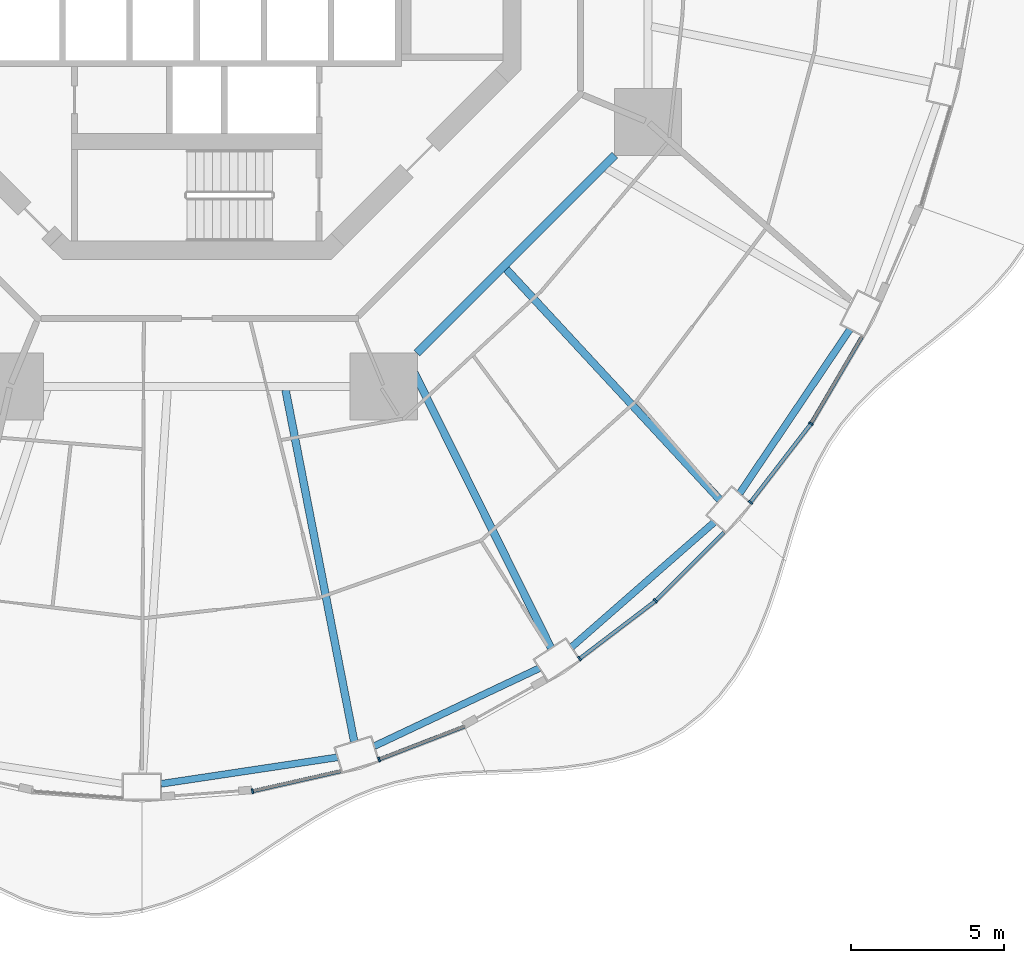
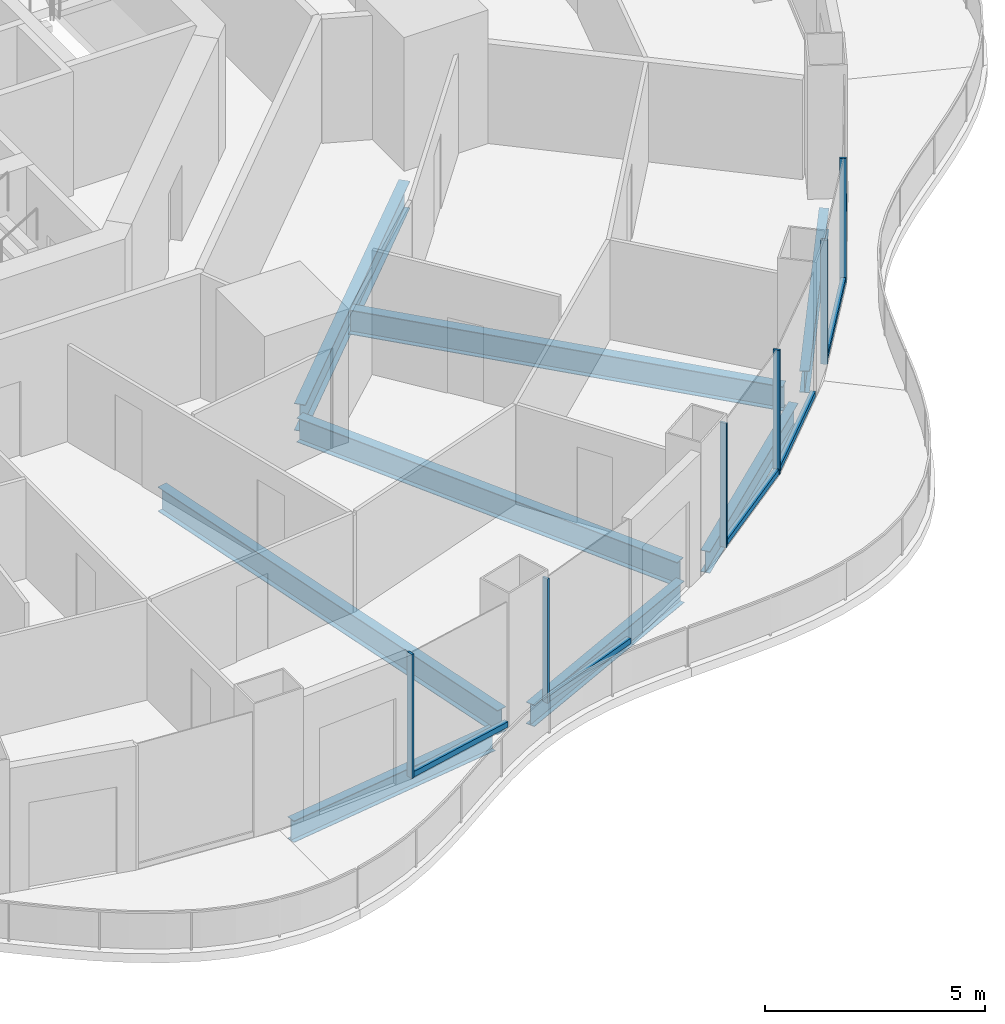
# One storey, part 5 of 22: 12 members, 8 beams, 6 elements without a shape of their own.
"""IFC4 building model written with IfcOpenShell, lengths in metres."""

import ifcopenshell
import ifcopenshell.guid

model = None  # the IFC model being written
_history = None  # IfcOwnerHistory: only IFC2X3 demands one
_inside = {}  # id of a spatial element -> (the spatial element, [elements in it])
_under = {}  # id of a project, library or spatial element -> (it, [spatial elements below it])
_declared = {}  # id of a project -> (the project, [libraries it declares])
_typed = {}  # id of a type object -> (the type object, [elements of that type])
_made_of = {}  # id of a material, layer set ... -> (it, [elements and type objects made of it])


def new_model(schema):
    """Start an empty IFC model of exactly this schema.

    Asked for "IFC4X3", IfcOpenShell would pick the latest addendum, in which some entities
    have other attributes; the version numbers below select the first issue.
    IFC2X3 requires an IfcOwnerHistory on every rooted entity: one is made here for all.
    """
    global model, _history
    if schema == "IFC4X3":
        model = ifcopenshell.file(schema_version=(4, 3, 0, 0))
    else:
        model = ifcopenshell.file(schema=schema)
    _inside.clear()
    _under.clear()
    _declared.clear()
    _typed.clear()
    _made_of.clear()
    _history = None
    if model.schema == "IFC2X3":
        org = make("IfcOrganization", Name="unknown")
        user = make(
            "IfcPersonAndOrganization",
            ThePerson=make("IfcPerson", FamilyName="unknown"),
            TheOrganization=org,
        )
        app = make(
            "IfcApplication",
            ApplicationDeveloper=org,
            Version="unknown",
            ApplicationFullName="unknown",
            ApplicationIdentifier="unknown",
        )
        _history = make(
            "IfcOwnerHistory",
            OwningUser=user,
            OwningApplication=app,
            ChangeAction="ADDED",
            CreationDate=0,
        )
    return model


def make(cls, **values):
    """One entity of the class cls with the attributes given. An attribute that is None is left unset."""
    return model.create_entity(
        cls, **{name: value for name, value in values.items() if value is not None}
    )


def rooted(cls, **values):
    """An entity with a GlobalId (a new one), such as an element, a storey or a relation."""
    return make(cls, GlobalId=ifcopenshell.guid.new(), OwnerHistory=_history, **values)


def si_unit(unit_type, name, prefix=None):
    """IfcSIUnit, for example si_unit("LENGTHUNIT", "METRE", prefix="MILLI")."""
    return make("IfcSIUnit", UnitType=unit_type, Prefix=prefix, Name=name)


def assignment(units):
    """IfcUnitAssignment: the units of a project."""
    return None if units is None else make("IfcUnitAssignment", Units=units)


def point(xyz):
    """IfcCartesianPoint."""
    return None if xyz is None else make("IfcCartesianPoint", Coordinates=xyz)


def direction(xyz):
    """IfcDirection."""
    return None if xyz is None else make("IfcDirection", DirectionRatios=xyz)


def frame(location, z_axis=None, x_axis=None):
    """IfcAxis2Placement3D, a coordinate frame: its origin and axes. An axis left out is left unset."""
    return make(
        "IfcAxis2Placement3D",
        Location=point(location),
        Axis=direction(z_axis),
        RefDirection=direction(x_axis),
    )


def frame_2d(location, x_axis=None):
    """IfcAxis2Placement2D, a coordinate frame in the plane: its origin and x axis."""
    return make(
        "IfcAxis2Placement2D", Location=point(location), RefDirection=direction(x_axis)
    )


def origin():
    """The frame at (0, 0, 0) with its axes left unset."""
    return frame((0.0, 0.0, 0.0))


def origin_2d():
    """The frame at (0, 0) in the plane with its x axis left unset."""
    return frame_2d((0.0, 0.0))


def place(relative_to, where):
    """IfcLocalPlacement: puts the frame where relative to a parent placement (None: the world)."""
    return make(
        "IfcLocalPlacement", PlacementRelTo=relative_to, RelativePlacement=where
    )


def context(
    kind, dimensions, precision=None, world=None, true_north=None, identifier=None
):
    """IfcGeometricRepresentationContext, for example the 3D "Model" context."""
    return make(
        "IfcGeometricRepresentationContext",
        ContextIdentifier=identifier,
        ContextType=kind,
        CoordinateSpaceDimension=dimensions,
        Precision=precision,
        WorldCoordinateSystem=world,
        TrueNorth=true_north,
    )


def subcontext(parent, identifier, kind, view, scale=None):
    """IfcGeometricRepresentationSubContext, for example "Body" below "Model"."""
    return make(
        "IfcGeometricRepresentationSubContext",
        ContextIdentifier=identifier,
        ContextType=kind,
        ParentContext=parent,
        TargetScale=scale,
        TargetView=view,
    )


def project(units=None, contexts=None):
    """IfcProject with its units and contexts."""
    return rooted(
        "IfcProject",
        Name="project",
        RepresentationContexts=contexts,
        UnitsInContext=assignment(units),
    )


def spatial(cls, under=None, at=None, **own):
    """A site, building, storey or space (cls), placed at a placement, below another one or the project."""
    s = rooted(cls, ObjectPlacement=at, **own)
    if under is not None:
        _under.setdefault(under.id(), (under, []))[1].append(s)
    return s


def profile(cls, at=None, kind="AREA", **sizes):
    """A parametric profile (cls). Its sizes go by their IFC names, for example OverallWidth=200.0."""
    return make(cls, ProfileType=kind, Position=at, **sizes)


def rectangle(**sizes):
    """IfcRectangleProfileDef."""
    return profile("IfcRectangleProfileDef", **sizes)


def i_section(**sizes):
    """IfcIShapeProfileDef."""
    return profile("IfcIShapeProfileDef", **sizes)


def extrude(swept, where, along, depth):
    """IfcExtrudedAreaSolid: the profile swept, set in the frame where, extruded along a direction by depth."""
    return make(
        "IfcExtrudedAreaSolid",
        SweptArea=swept,
        Position=where,
        ExtrudedDirection=direction(along),
        Depth=depth,
    )


def shape(context_of_items, identifier, shape_type, items):
    """IfcShapeRepresentation: the items that make up one representation, for example the "Body"."""
    return make(
        "IfcShapeRepresentation",
        ContextOfItems=context_of_items,
        RepresentationIdentifier=identifier,
        RepresentationType=shape_type,
        Items=items,
    )


def material(Name=None, Category=None):
    """IfcMaterial."""
    return make("IfcMaterial", Name=Name, Category=Category)


def layer(
    of_material, thickness, ventilated=None, Name=None, Category=None, Priority=None
):
    """IfcMaterialLayer: one layer of a wall or slab, of a material (None: an air gap)."""
    return make(
        "IfcMaterialLayer",
        Material=of_material,
        LayerThickness=thickness,
        IsVentilated=ventilated,
        Name=Name,
        Category=Category,
        Priority=Priority,
    )


def layer_set(layers, Name=None):
    """IfcMaterialLayerSet."""
    return make("IfcMaterialLayerSet", MaterialLayers=layers, LayerSetName=Name)


def material_profile(
    of_material, cross_section, Name=None, Category=None, Priority=None
):
    """IfcMaterialProfile: a cross section and its material."""
    return make(
        "IfcMaterialProfile",
        Name=Name,
        Material=of_material,
        Profile=cross_section,
        Priority=Priority,
        Category=Category,
    )


def profile_set(profiles, Name=None, composite=None):
    """IfcMaterialProfileSet."""
    return make(
        "IfcMaterialProfileSet",
        Name=Name,
        MaterialProfiles=profiles,
        CompositeProfile=composite,
    )


def made_of(thing, what):
    """Note that an element or type object is made of a material, layer set ...; save() writes the relation."""
    if what is not None:
        _made_of.setdefault(what.id(), (what, []))[1].append(thing)
    return thing


def type_object(cls, material=None, **own):
    """A type object (cls), such as IfcWallType, which elements share."""
    return made_of(rooted(cls, **own), material)


def element(
    cls,
    number,
    at=None,
    inside=None,
    cuts=None,
    type_object=None,
    material=None,
    context=None,
    identifier="Body",
    shape_type=None,
    held_by="IfcProductDefinitionShape",
    body=None,
    shapes=None,
    **own,
):
    """One element of the class cls, such as IfcWall. Its Tag is "e" and its number.

    at: its placement. inside: the storey or other place that contains it. cuts: it is an
    opening in that element (IfcRelVoidsElement). A single representation is given by context,
    identifier, shape_type and body (its items); several are given by shapes. held_by: the class
    of the entity that holds the representations. save() writes the other relations.
    """
    e = rooted(cls, Tag="e%d" % number, ObjectPlacement=at, **own)
    if body is not None:
        shapes = [shape(context, identifier, shape_type, body)]
    if shapes is not None:
        e.Representation = make(held_by, Representations=shapes)
    if inside is not None:
        _inside.setdefault(inside.id(), (inside, []))[1].append(e)
    if cuts is not None:
        rooted(
            "IfcRelVoidsElement", RelatingBuildingElement=cuts, RelatedOpeningElement=e
        )
    if type_object is not None:
        _typed.setdefault(type_object.id(), (type_object, []))[1].append(e)
    return made_of(e, material)


def aggregate(whole, parts):
    """IfcRelAggregates: a whole, such as a stair, and the parts it consists of."""
    return rooted("IfcRelAggregates", RelatingObject=whole, RelatedObjects=parts)


def save(model, path):
    """Write the relations noted so far, then the file.

    IfcRelAggregates (storeys below a building ...), IfcRelContainedInSpatialStructure (elements
    in a storey), IfcRelDefinesByType, IfcRelAssociatesMaterial and IfcRelDeclares: one each for
    every whole, place, type object, material and project.
    """
    for whole, parts in _under.values():
        aggregate(whole, parts)
    for where, things in _inside.values():
        rooted(
            "IfcRelContainedInSpatialStructure",
            RelatedElements=things,
            RelatingStructure=where,
        )
    for kind, things in _typed.values():
        rooted("IfcRelDefinesByType", RelatedObjects=things, RelatingType=kind)
    for what, things in _made_of.values():
        rooted("IfcRelAssociatesMaterial", RelatedObjects=things, RelatingMaterial=what)
    for by, libraries in _declared.values():
        rooted("IfcRelDeclares", RelatingContext=by, RelatedDefinitions=libraries)
    model.write(path)


model = new_model("IFC4")

# Units and contexts
model_context = context("Model", 3, precision=1e-05, world=origin(), true_north=direction((0.0, 1.0)))
body_context = subcontext(model_context, "Body", "Model", "MODEL_VIEW")
ifc_project = project(units=[si_unit("LENGTHUNIT", "METRE"), si_unit("AREAUNIT", "SQUARE_METRE"), si_unit("VOLUMEUNIT", "CUBIC_METRE"), si_unit("PLANEANGLEUNIT", "RADIAN"), si_unit("MASSUNIT", "GRAM", prefix="KILO")], contexts=[model_context])

# Site, building, storey
site_placement = place(None, origin())
site = spatial("IfcSite", under=ifc_project, at=site_placement, CompositionType="ELEMENT")
building_placement = place(site_placement, origin())
building = spatial("IfcBuilding", under=site, at=building_placement, Name="Nagisa Residences", CompositionType="ELEMENT")
storey_placement = place(building_placement, frame((0.0, 0.0, 77.0)))
storey = spatial("IfcBuildingStorey", under=building, at=storey_placement, Name="L18", CompositionType="ELEMENT", Elevation=77.0)

# Curtain wall, member
ifc_material_1 = material(Name="Concrete-coloured aluminium curtain wall system", Category="concrete")
ifc_layer = layer(ifc_material_1, 0.159912109375)
ifc_layer_set = layer_set([ifc_layer], Name="CW1 CURTAIN WALL")
curtain_wall_type = type_object("IfcCurtainWallType", Name="CW1 CURTAIN WALL", PredefinedType="NOTDEFINED", material=ifc_layer_set)
curtain_wall_1_placement = place(storey_placement, origin())
curtain_wall_1 = element("IfcCurtainWall", 1, at=curtain_wall_1_placement, inside=storey, type_object=curtain_wall_type, Name="cw:CW1:L18:37", PredefinedType="NOTDEFINED")
ifc_material_2 = material(Name="Concrete-coloured aluminium", Category="concrete")
ifc_material_profile_1 = material_profile(ifc_material_2, rectangle(XDim=0.159912109375, YDim=0.06005859375, at=origin_2d()), Name="CW1 MULLION 160x60")
ifc_profile_set_1 = profile_set([ifc_material_profile_1], Name="Concrete-coloured aluminium")
member_type_1 = type_object("IfcMemberType", Name="CW1 MULLION 160x60", PredefinedType="MULLION", material=ifc_profile_set_1)
member_1_placement = place(storey_placement, frame((1.826416015625, -28.04296875, 0.0), z_axis=(0.0, 0.0, 1.0), x_axis=(-0.2207639201, 0.975327274089, 0.0)))
member_1 = element("IfcMember", 2, at=member_1_placement, type_object=member_type_1, Name="CW1 mullion", PredefinedType="MULLION", context=body_context, shape_type="SweptSolid", body=[
    extrude(rectangle(XDim=0.159912109375, YDim=0.06005859375, at=origin_2d()), origin(), (0.0, 0.0, 1.0), 3.43994140625),
])

curtain_wall_2_placement = place(storey_placement, origin())
curtain_wall_2 = element("IfcCurtainWall", 3, at=curtain_wall_2_placement, inside=storey, type_object=curtain_wall_type, Name="cw:CW1:L18:38", PredefinedType="NOTDEFINED")
member_2_placement = place(storey_placement, frame((5.973388671875, -27.00390625, 0.0), z_axis=(0.0, 0.0, 1.0), x_axis=(-0.360327770268, 0.932825759707, 0.0)))
member_2 = element("IfcMember", 4, at=member_2_placement, type_object=member_type_1, Name="CW1 mullion", PredefinedType="MULLION", context=body_context, shape_type="SweptSolid", body=[
    extrude(rectangle(XDim=0.159912109375, YDim=0.06005859375, at=origin_2d()), origin(), (0.0, 0.0, 1.0), 3.43994140625),
])

curtain_wall_3_placement = place(storey_placement, origin())
curtain_wall_3 = element("IfcCurtainWall", 5, at=curtain_wall_3_placement, inside=storey, type_object=curtain_wall_type, Name="cw:CW1:L18:40", PredefinedType="NOTDEFINED")
member_3_placement = place(storey_placement, frame((12.540283203125, -23.699951171875, 0.0), z_axis=(0.0, 0.0, 1.0), x_axis=(-0.605255421737, 0.79603132756, 0.0)))
member_3 = element("IfcMember", 6, at=member_3_placement, type_object=member_type_1, Name="CW1 mullion", PredefinedType="MULLION", context=body_context, shape_type="SweptSolid", body=[
    extrude(rectangle(XDim=0.159912109375, YDim=0.06005859375, at=origin_2d()), origin(), (0.0, 0.0, 1.0), 3.43994140625),
])

curtain_wall_4_placement = place(storey_placement, origin())
curtain_wall_4 = element("IfcCurtainWall", 7, at=curtain_wall_4_placement, inside=storey, type_object=curtain_wall_type, Name="cw:CW1:L18:41", PredefinedType="NOTDEFINED")
member_4_placement = place(storey_placement, frame((15.0244140625, -21.80712890625, 0.0), z_axis=(0.0, 0.0, 1.0), x_axis=(-0.706376885714, 0.707835924016, 0.0)))
member_4 = element("IfcMember", 8, at=member_4_placement, type_object=member_type_1, Name="CW1 mullion", PredefinedType="MULLION", context=body_context, shape_type="SweptSolid", body=[
    extrude(rectangle(XDim=0.159912109375, YDim=0.06005859375, at=origin_2d()), origin(), (0.0, 0.0, 1.0), 3.43994140625),
])

curtain_wall_5_placement = place(storey_placement, origin())
curtain_wall_5 = element("IfcCurtainWall", 9, at=curtain_wall_5_placement, inside=storey, type_object=curtain_wall_type, Name="cw:CW1:L18:42", PredefinedType="NOTDEFINED")
member_5_placement = place(storey_placement, frame((18.135009765625, -18.579345703125, 0.0), z_axis=(0.0, 0.0, 1.0), x_axis=(-0.792070340816, 0.610429828235, 0.0)))
member_5 = element("IfcMember", 10, at=member_5_placement, type_object=member_type_1, Name="CW1 mullion", PredefinedType="MULLION", context=body_context, shape_type="SweptSolid", body=[
    extrude(rectangle(XDim=0.159912109375, YDim=0.06005859375, at=origin_2d()), origin(), (0.0, 0.0, 1.0), 3.43994140625),
])

curtain_wall_6_placement = place(storey_placement, origin())
curtain_wall_6 = element("IfcCurtainWall", 11, at=curtain_wall_6_placement, inside=storey, type_object=curtain_wall_type, Name="cw:CW1:L18:43", PredefinedType="NOTDEFINED")
member_6_placement = place(storey_placement, frame((20.1181640625, -16.0009765625, 0.0), z_axis=(0.0, 0.0, 1.0), x_axis=(-0.862328898214, 0.506348567002, 0.0)))
member_6 = element("IfcMember", 12, at=member_6_placement, type_object=member_type_1, Name="CW1 mullion", PredefinedType="MULLION", context=body_context, shape_type="SweptSolid", body=[
    extrude(rectangle(XDim=0.159912109375, YDim=0.06005859375, at=origin_2d()), origin(), (0.0, 0.0, 1.0), 3.43994140625),
])

# Member
ifc_material_3 = material(Name="Concrete-coloured aluminium", Category="concrete")
ifc_material_profile_2 = material_profile(ifc_material_3, rectangle(XDim=0.1201171875, YDim=0.14990234375, at=origin_2d()), Name="CW1 TRANSOM 120x150")
ifc_profile_set_2 = profile_set([ifc_material_profile_2], Name="Concrete-coloured aluminium")
member_type_2 = type_object("IfcMemberType", Name="CW1 TRANSOM 120x150", PredefinedType="USERDEFINED", material=ifc_profile_set_2)
member_7_placement = place(storey_placement, frame((1.79736328125, -28.049560546875, 0.074951171875), z_axis=(0.975331196789, 0.220746589036, 0.0), x_axis=(-0.220746589036, 0.975331196789, 0.0)))
member_7 = element("IfcMember", 13, at=member_7_placement, type_object=member_type_2, Name="CW1 transom", ObjectType="TRANSOM", PredefinedType="USERDEFINED", context=body_context, shape_type="SweptSolid", body=[
    extrude(rectangle(XDim=0.1201171875, YDim=0.14990234375, at=origin_2d()), origin(), (0.0, 0.0, 1.0), 2.99267578125),
])

aggregate(curtain_wall_1, [member_1, member_7])

member_8_placement = place(storey_placement, frame((5.945556640625, -27.0146484375, 0.074951171875), z_axis=(0.932827091302, 0.360324322982, 0.0), x_axis=(-0.360324322982, 0.932827091302, 0.0)))
member_8 = element("IfcMember", 14, at=member_8_placement, type_object=member_type_2, Name="CW1 transom", ObjectType="TRANSOM", PredefinedType="USERDEFINED", context=body_context, shape_type="SweptSolid", body=[
    extrude(rectangle(XDim=0.1201171875, YDim=0.14990234375, at=origin_2d()), origin(), (0.0, 0.0, 1.0), 3.02734375),
])

aggregate(curtain_wall_2, [member_2, member_8])

member_9_placement = place(storey_placement, frame((12.5166015625, -23.718017578125, 0.074951171875), z_axis=(0.796000041424, 0.605296567025, 0.0), x_axis=(-0.605296567025, 0.796000041424, 0.0)))
member_9 = element("IfcMember", 15, at=member_9_placement, type_object=member_type_2, Name="CW1 transom", ObjectType="TRANSOM", PredefinedType="USERDEFINED", context=body_context, shape_type="SweptSolid", body=[
    extrude(rectangle(XDim=0.1201171875, YDim=0.14990234375, at=origin_2d()), origin(), (0.0, 0.0, 1.0), 3.134033203125),
])

aggregate(curtain_wall_3, [member_3, member_9])

member_10_placement = place(storey_placement, frame((15.003173828125, -21.828125, 0.074951171875), z_axis=(0.707831724839, 0.70638109354, 0.0), x_axis=(-0.70638109354, 0.707831724839, 0.0)))
member_10 = element("IfcMember", 16, at=member_10_placement, type_object=member_type_2, Name="CW1 transom", ObjectType="TRANSOM", PredefinedType="USERDEFINED", context=body_context, shape_type="SweptSolid", body=[
    extrude(rectangle(XDim=0.1201171875, YDim=0.14990234375, at=origin_2d()), origin(), (0.0, 0.0, 1.0), 3.19775390625),
])

aggregate(curtain_wall_4, [member_4, member_10])

member_11_placement = place(storey_placement, frame((18.11669921875, -18.60302734375, 0.074951171875), z_axis=(0.610458970322, 0.792047880847, 0.0), x_axis=(-0.792047880847, 0.610458970322, 0.0)))
member_11 = element("IfcMember", 17, at=member_11_placement, type_object=member_type_2, Name="CW1 transom", ObjectType="TRANSOM", PredefinedType="USERDEFINED", context=body_context, shape_type="SweptSolid", body=[
    extrude(rectangle(XDim=0.1201171875, YDim=0.14990234375, at=origin_2d()), origin(), (0.0, 0.0, 1.0), 3.262939453125),
])

aggregate(curtain_wall_5, [member_5, member_11])

member_12_placement = place(storey_placement, frame((20.10302734375, -16.02685546875, 0.074951171875), z_axis=(0.506329983076, 0.86233981019, 0.0), x_axis=(-0.86233981019, 0.506329983076, 0.0)))
member_12 = element("IfcMember", 18, at=member_12_placement, type_object=member_type_2, Name="CW1 transom", ObjectType="TRANSOM", PredefinedType="USERDEFINED", context=body_context, shape_type="SweptSolid", body=[
    extrude(rectangle(XDim=0.1201171875, YDim=0.14990234375, at=origin_2d()), origin(), (0.0, 0.0, 1.0), 3.32470703125),
])

aggregate(curtain_wall_6, [member_6, member_12])

# Beams
ifc_material_4 = material(Name="Steel ASTM A572 Gr 50", Category="steel")
ifc_material_profile_3 = material_profile(ifc_material_4, i_section(OverallWidth=0.264892578125, OverallDepth=0.7529296875, WebThickness=0.01318359375, FlangeThickness=0.01708984375, at=origin_2d()), Name="W760x147")
ifc_profile_set_3 = profile_set([ifc_material_profile_3], Name="Steel ASTM A572 Gr 50")
beam_type_1 = type_object("IfcBeamType", Name="Inner ring beam W760x147", PredefinedType="BEAM", material=ifc_profile_set_3)
beam_1_placement = place(storey_placement, frame((7.208740234375, -13.6962890625, -0.636474609375), z_axis=(0.707106781187, 0.707106781187, 0.0), x_axis=(-0.707106781187, 0.707106781187, 0.0)))
element("IfcBeam", 19, at=beam_1_placement, inside=storey, type_object=beam_type_1, Name="beam:L18:ib7", PredefinedType="BEAM", context=body_context, shape_type="SweptSolid", body=[
    extrude(i_section(OverallWidth=0.264892578125, OverallDepth=0.7529296875, WebThickness=0.01318359375, FlangeThickness=0.01708984375, at=origin_2d()), origin(), (0.0, 0.0, 1.0), 9.1748046875),
])
ifc_material_5 = material(Name="Steel ASTM A572 Gr 50", Category="steel")
ifc_material_profile_4 = material_profile(ifc_material_5, i_section(OverallWidth=0.22802734375, OverallDepth=0.60302734375, WebThickness=0.010498046875, FlangeThickness=0.014892578125, at=origin_2d()), Name="W610x101")
ifc_profile_set_4 = profile_set([ifc_material_profile_4], Name="Steel ASTM A572 Gr 50")
beam_type_2 = type_object("IfcBeamType", Name="Perimeter ring beam W610x101", PredefinedType="BEAM", material=ifc_profile_set_4)
beam_2_placement = place(storey_placement, frame((-1.169677734375, -27.802734375, -0.5615234375), z_axis=(0.988913048607, 0.148495731568, 0.0), x_axis=(-0.148495731568, 0.988913048607, 0.0)))
element("IfcBeam", 20, at=beam_2_placement, inside=storey, type_object=beam_type_2, Name="beam:L18:pb19", PredefinedType="BEAM", context=body_context, shape_type="SweptSolid", body=[
    extrude(i_section(OverallWidth=0.22802734375, OverallDepth=0.60302734375, WebThickness=0.010498046875, FlangeThickness=0.014892578125, at=origin_2d()), origin(), (0.0, 0.0, 1.0), 5.843017578125),
])
beam_3_placement = place(storey_placement, frame((5.814453125, -26.568359375, -0.5615234375), z_axis=(0.904196975776, 0.427115709144, 0.0), x_axis=(-0.427115709144, 0.904196975776, 0.0)))
element("IfcBeam", 21, at=beam_3_placement, inside=storey, type_object=beam_type_2, Name="beam:L18:pb20", PredefinedType="BEAM", context=body_context, shape_type="SweptSolid", body=[
    extrude(i_section(OverallWidth=0.22802734375, OverallDepth=0.60302734375, WebThickness=0.010498046875, FlangeThickness=0.014892578125, at=origin_2d()), origin(), (0.0, 0.0, 1.0), 5.980712890625),
])
beam_4_placement = place(storey_placement, frame((12.2763671875, -23.322998046875, -0.5615234375), z_axis=(0.752525569707, 0.658563031863, 0.0), x_axis=(-0.658563031863, 0.752525569707, 0.0)))
element("IfcBeam", 22, at=beam_4_placement, inside=storey, type_object=beam_type_2, Name="beam:L18:pb21", PredefinedType="BEAM", context=body_context, shape_type="SweptSolid", body=[
    extrude(i_section(OverallWidth=0.22802734375, OverallDepth=0.60302734375, WebThickness=0.010498046875, FlangeThickness=0.014892578125, at=origin_2d()), origin(), (0.0, 0.0, 1.0), 6.21240234375),
])
beam_5_placement = place(storey_placement, frame((17.784423828125, -18.2861328125, -0.5615234375), z_axis=(0.558229575935, 0.829686531499, 0.0), x_axis=(-0.829686531499, 0.558229575935, 0.0)))
element("IfcBeam", 23, at=beam_5_placement, inside=storey, type_object=beam_type_2, Name="beam:L18:pb22", PredefinedType="BEAM", context=body_context, shape_type="SweptSolid", body=[
    extrude(i_section(OverallWidth=0.22802734375, OverallDepth=0.60302734375, WebThickness=0.010498046875, FlangeThickness=0.014892578125, at=origin_2d()), origin(), (0.0, 0.0, 1.0), 6.471923828125),
])
ifc_material_6 = material(Name="Steel ASTM A572 Gr 50", Category="steel")
ifc_material_profile_5 = material_profile(ifc_material_6, i_section(OverallWidth=0.2529296875, OverallDepth=0.677978515625, WebThickness=0.01171875, FlangeThickness=0.016357421875, at=origin_2d()), Name="W690x125")
ifc_profile_set_5 = profile_set([ifc_material_profile_5], Name="Steel ASTM A572 Gr 50")
beam_type_3 = type_object("IfcBeamType", Name="Radial beam W690x125", PredefinedType="BEAM", material=ifc_profile_set_5)
beam_6_placement = place(storey_placement, frame((5.15576171875, -26.416015625, -0.59912109375), z_axis=(-0.191554340045, 0.981482009417, 0.0), x_axis=(-0.981482009417, -0.191554340045, 0.0)))
element("IfcBeam", 24, at=beam_6_placement, inside=storey, type_object=beam_type_3, Name="beam:L18:rb20", PredefinedType="BEAM", context=body_context, shape_type="SweptSolid", body=[
    extrude(i_section(OverallWidth=0.2529296875, OverallDepth=0.677978515625, WebThickness=0.01171875, FlangeThickness=0.016357421875, at=origin_2d()), origin(), (0.0, 0.0, 1.0), 11.73828125),
])
beam_7_placement = place(storey_placement, frame((11.604736328125, -23.35400390625, -0.59912109375), z_axis=(-0.444988448889, 0.895536308787, 0.0), x_axis=(-0.895536308787, -0.444988448889, 0.0)))
element("IfcBeam", 25, at=beam_7_placement, inside=storey, type_object=beam_type_3, Name="beam:L18:rb21", PredefinedType="BEAM", context=body_context, shape_type="SweptSolid", body=[
    extrude(i_section(OverallWidth=0.2529296875, OverallDepth=0.677978515625, WebThickness=0.01171875, FlangeThickness=0.016357421875, at=origin_2d()), origin(), (0.0, 0.0, 1.0), 10.364013671875),
])
beam_8_placement = place(storey_placement, frame((17.135986328125, -18.49609375, -0.59912109375), z_axis=(-0.67961674612, 0.733567364591, 0.0), x_axis=(-0.733567364591, -0.67961674612, 0.0)))
element("IfcBeam", 26, at=beam_8_placement, inside=storey, type_object=beam_type_3, Name="beam:L18:rb22", PredefinedType="BEAM", context=body_context, shape_type="SweptSolid", body=[
    extrude(i_section(OverallWidth=0.2529296875, OverallDepth=0.677978515625, WebThickness=0.01171875, FlangeThickness=0.016357421875, at=origin_2d()), origin(), (0.0, 0.0, 1.0), 10.30859375),
])

save(model, "model.ifc")
